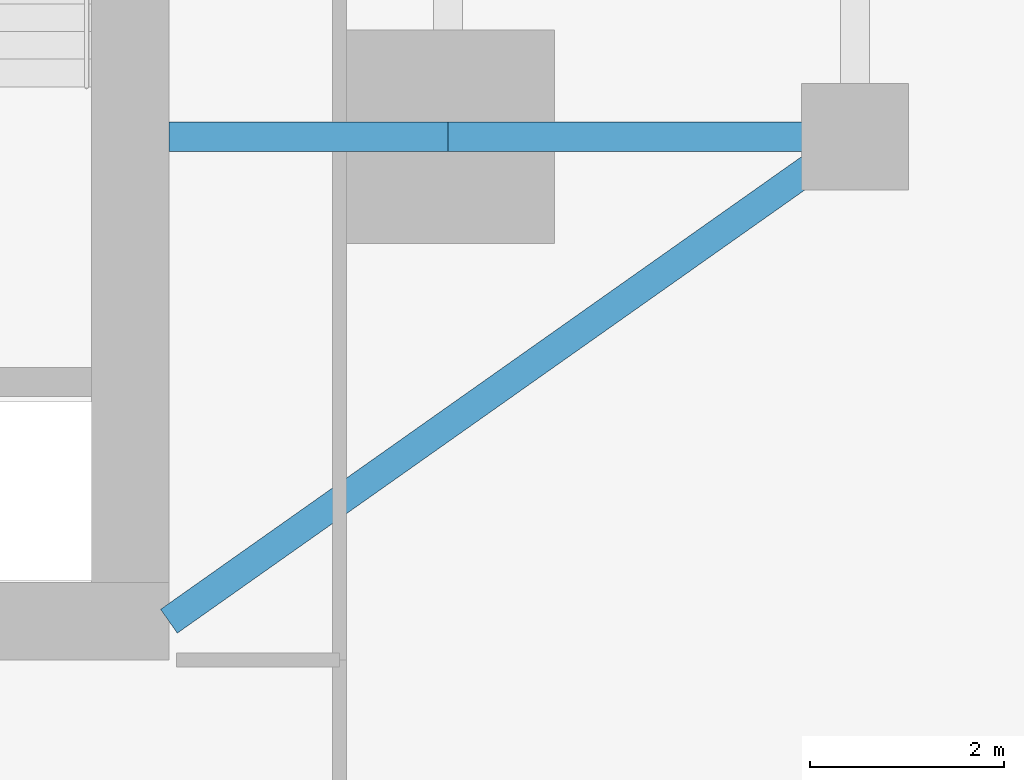
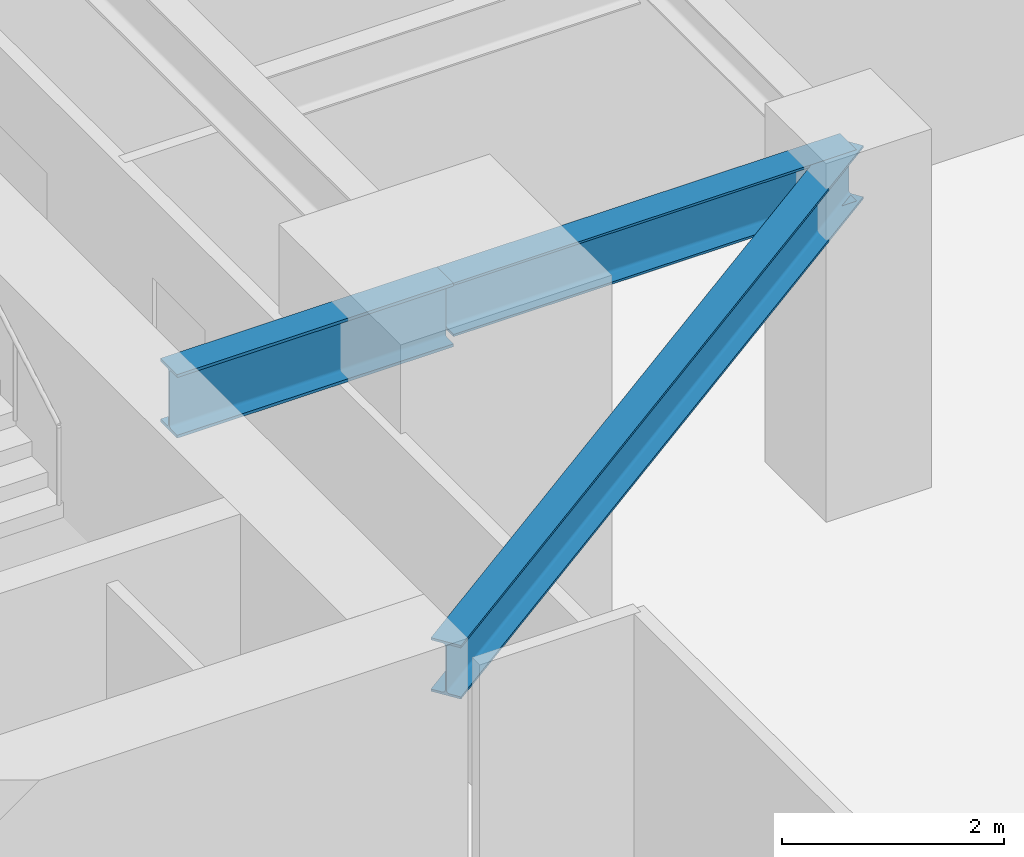
# One storey, part 13 of 30: 3 beams.
"""IFC4 building model written with IfcOpenShell, lengths in metres."""

from ifc_helpers import new_model, si_unit, direction, frame, origin, origin_2d, place, context, subcontext, project, spatial, i_section, extrude, source, transform, mapped, material, material_profile, profile_set, type_object, type_shapes, element, save


model = new_model("IFC4")

# Units and contexts
model_context = context("Model", 3, precision=1e-05, world=origin(), true_north=direction((0.0, 1.0)))
body_context = subcontext(model_context, "Body", "Model", "MODEL_VIEW")
ifc_project = project(units=[si_unit("LENGTHUNIT", "METRE"), si_unit("AREAUNIT", "SQUARE_METRE"), si_unit("VOLUMEUNIT", "CUBIC_METRE"), si_unit("PLANEANGLEUNIT", "RADIAN"), si_unit("MASSUNIT", "GRAM", prefix="KILO")], contexts=[model_context])

# Site, building, storey
site_placement = place(None, origin())
site = spatial("IfcSite", under=ifc_project, at=site_placement, CompositionType="ELEMENT")
building_placement = place(site_placement, origin())
building = spatial("IfcBuilding", under=site, at=building_placement, Name="Krantzveldt Concourse Tower", CompositionType="ELEMENT")
storey_placement = place(building_placement, frame((0.0, 0.0, 52.64990234375)))
storey = spatial("IfcBuildingStorey", under=building, at=storey_placement, Name="L12", CompositionType="ELEMENT", Elevation=52.64990234375)

# Beams
ifc_material_1 = material(Name="Steel S355J2", Category="steel")
ifc_material_profile_1 = material_profile(ifc_material_1, i_section(OverallWidth=0.300048828125, OverallDepth=0.699951171875, WebThickness=0.01708984375, FlangeThickness=0.031982421875, FilletRadius=0.027099609375, at=origin_2d()), Name="Steel S355J2", Category="steel")
ifc_profile_set_1 = profile_set([ifc_material_profile_1], Name="Steel S355J2 - HEB 700")
beam_type_1 = type_object("IfcBeamType", Name="BM-B-HEB700", PredefinedType="BEAM", material=ifc_profile_set_1)
shared_shape_1 = source(origin(), body_context, "Body", "SweptSolid", [
    extrude(i_section(OverallWidth=0.300048828125, OverallDepth=0.699951171875, WebThickness=0.01708984375, FlangeThickness=0.031982421875, FilletRadius=0.027099609375, at=origin_2d()), origin(), (0.0, 0.0, 1.0), 2.880126953125),
])
type_shapes(beam_type_1, [shared_shape_1])
beam_1_placement = place(storey_placement, frame((43.919921875, 15.89990234375, 3.320068359375), z_axis=(1.0, 0.0, 0.0), x_axis=(0.0, 1.0, 0.0)))
element("IfcBeam", 1, at=beam_1_placement, inside=storey, type_object=beam_type_1, Name="L12 Tower Girder BG-CE1", PredefinedType="BEAM", context=body_context, shape_type="MappedRepresentation", body=[
    mapped(shared_shape_1, transform((0.0, 0.0, 0.0), x_axis=(1.0, 0.0, 0.0), y_axis=(0.0, 1.0, 0.0), z_axis=(0.0, 0.0, 1.0), scale=1.0)),
])
ifc_material_2 = material(Name="Steel S355JR", Category="steel")
ifc_material_profile_2 = material_profile(ifc_material_2, i_section(OverallWidth=0.300048828125, OverallDepth=0.590087890625, WebThickness=0.012939453125, FlangeThickness=0.02490234375, FilletRadius=0.027099609375, at=origin_2d()), Name="Steel S355JR", Category="steel")
ifc_profile_set_2 = profile_set([ifc_material_profile_2], Name="Steel S355JR - HEA 600")
beam_type_2 = type_object("IfcBeamType", Name="BM-B-HEA600", PredefinedType="BEAM", material=ifc_profile_set_2)
shared_shape_2 = source(origin(), body_context, "Body", "SweptSolid", [
    extrude(i_section(OverallWidth=0.300048828125, OverallDepth=0.590087890625, WebThickness=0.012939453125, FlangeThickness=0.02490234375, FilletRadius=0.027099609375, at=origin_2d()), origin(), (0.0, 0.0, 1.0), 4.199951171875),
])
beam_2_placement = place(storey_placement, frame((46.800048828125, 15.89990234375, 3.375), z_axis=(1.0, 0.0, 0.0), x_axis=(0.0, 1.0, 0.0)))
element("IfcBeam", 2, at=beam_2_placement, inside=storey, type_object=beam_type_2, Name="L12 Tower Girder BR-RR1", PredefinedType="BEAM", context=body_context, shape_type="MappedRepresentation", body=[
    mapped(shared_shape_2, transform((0.0, 0.0, 0.0), x_axis=(1.0, 0.0, 0.0), y_axis=(0.0, 1.0, 0.0), z_axis=(0.0, 0.0, 1.0), scale=1.0)),
])
shared_shape_3 = source(origin(), body_context, "Body", "SweptSolid", [
    extrude(i_section(OverallWidth=0.300048828125, OverallDepth=0.590087890625, WebThickness=0.012939453125, FlangeThickness=0.02490234375, FilletRadius=0.027099609375, at=origin_2d()), origin(), (0.0, 0.0, 1.0), 8.667724609375),
])
type_shapes(beam_type_2, [shared_shape_2, shared_shape_3])
beam_3_placement = place(storey_placement, frame((51.0, 15.89990234375, 3.375), z_axis=(-0.81684294656, -0.576860122261, 0.0), x_axis=(0.576860122261, -0.81684294656, 0.0)))
element("IfcBeam", 3, at=beam_3_placement, inside=storey, type_object=beam_type_2, Name="L12 Tower Girder BR-CSE", PredefinedType="BEAM", context=body_context, shape_type="MappedRepresentation", body=[
    mapped(shared_shape_3, transform((0.0, 0.0, 0.0), x_axis=(1.0, 0.0, 0.0), y_axis=(0.0, 1.0, 0.0), z_axis=(0.0, 0.0, 1.0), scale=1.0)),
])

save(model, "model.ifc")
